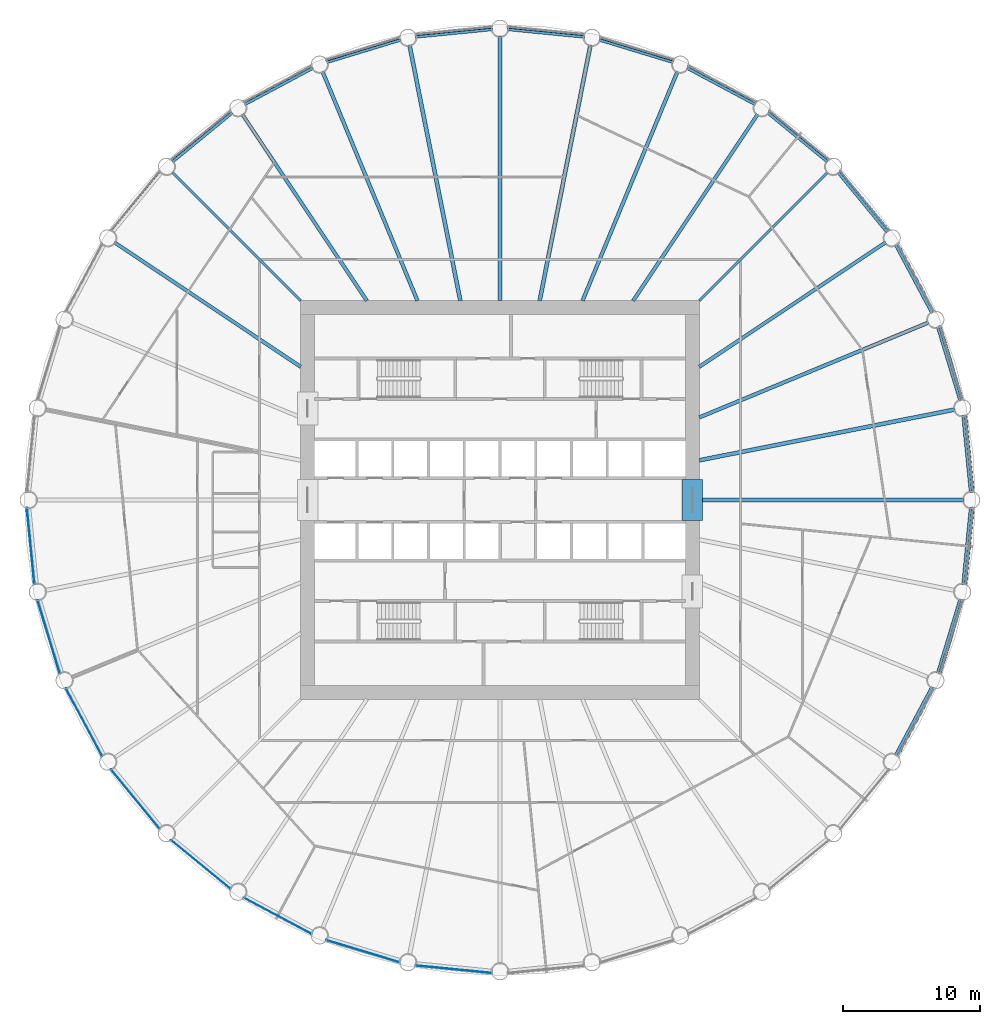
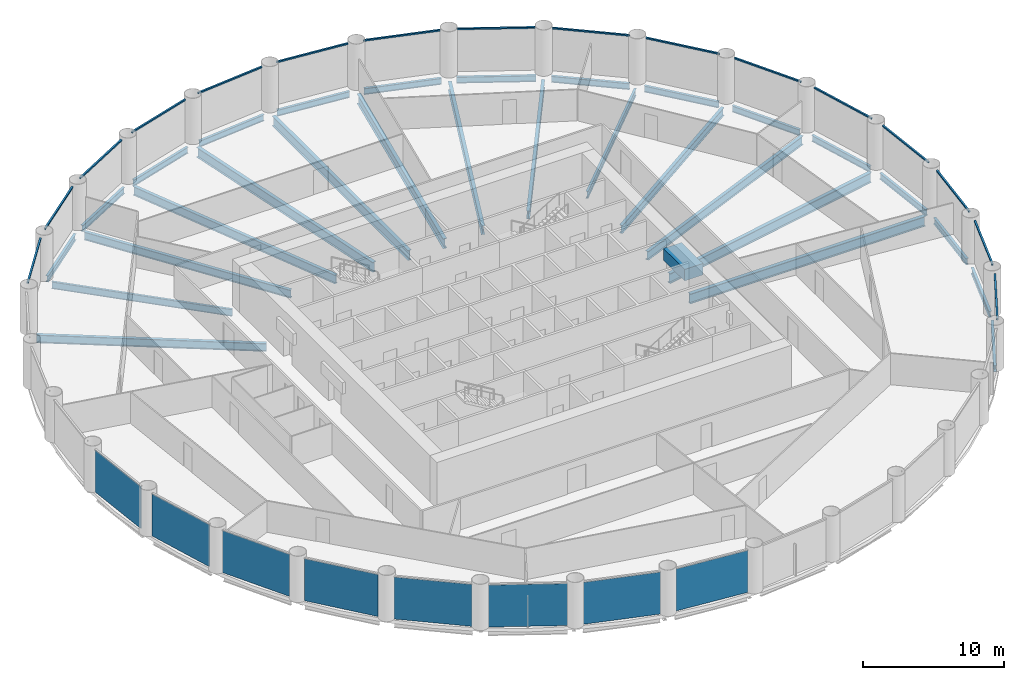
# One storey, part 2 of 9: 30 beams, 16 members, 8 plates, 24 elements without a shape of their own.
"""IFC4 building model written with IfcOpenShell, lengths in metres."""

from ifc_helpers import new_model, si_unit, direction, frame, origin, origin_2d, place, context, subcontext, project, spatial, rectangle, i_section, extrude, material, layer, layer_set, material_profile, profile_set, type_object, element, aggregate, save


model = new_model("IFC4")

# Units and contexts
model_context = context("Model", 3, precision=1e-05, world=origin(), true_north=direction((0.0, 1.0)))
body_context = subcontext(model_context, "Body", "Model", "MODEL_VIEW")
ifc_project = project(units=[si_unit("LENGTHUNIT", "METRE"), si_unit("AREAUNIT", "SQUARE_METRE"), si_unit("VOLUMEUNIT", "CUBIC_METRE"), si_unit("PLANEANGLEUNIT", "RADIAN"), si_unit("MASSUNIT", "GRAM", prefix="KILO")], contexts=[model_context])

# Site, building, storey
site_placement = place(None, origin())
site = spatial("IfcSite", under=ifc_project, at=site_placement, CompositionType="ELEMENT")
building_placement = place(site_placement, origin())
building = spatial("IfcBuilding", under=site, at=building_placement, Name="Corvane Civic Tower", CompositionType="ELEMENT")
storey_placement = place(building_placement, frame((0.0, 0.0, 102.5)))
storey = spatial("IfcBuildingStorey", under=building, at=storey_placement, Name="L23", CompositionType="ELEMENT", Elevation=102.5)

# Beams
ifc_material_1 = material(Name="Concrete C70/85", Category="concrete")
ifc_material_profile_1 = material_profile(ifc_material_1, rectangle(XDim=1.5, YDim=1.0, at=origin_2d()), Name="COUPLING BEAM 1500X1000")
ifc_profile_set_1 = profile_set([ifc_material_profile_1], Name="Concrete C70/85")
beam_type_1 = type_object("IfcBeamType", Name="COUPLING BEAM COUPLING BEAM 1500X1000", PredefinedType="BEAM", material=ifc_profile_set_1)
beam_1_placement = place(storey_placement, frame((14.0, -1.5, 2.60009765625), z_axis=(0.0, 1.0, 0.0), x_axis=(-1.0, 0.0, 0.0)))
element("IfcBeam", 1, at=beam_1_placement, inside=storey, type_object=beam_type_1, Name="BM-L23-cpl-CW-LE", PredefinedType="BEAM", context=body_context, shape_type="SweptSolid", body=[
    extrude(rectangle(XDim=1.5, YDim=1.0, at=origin_2d()), origin(), (0.0, 0.0, 1.0), 3.0),
])
ifc_material_2 = material(Name="Steel ASTM A992 Gr 50", Category="steel")
ifc_material_profile_2 = material_profile(ifc_material_2, i_section(OverallWidth=0.209228515625, OverallDepth=0.533447265625, WebThickness=0.01025390625, FlangeThickness=0.015625, at=origin_2d()), Name="W21X62")
ifc_profile_set_2 = profile_set([ifc_material_profile_2], Name="Steel ASTM A992 Gr 50")
beam_type_2 = type_object("IfcBeamType", Name="EDGE BEAM W21X62", PredefinedType="BEAM", material=ifc_profile_set_2)
beam_2_placement = place(storey_placement, frame((0.54736328125, 34.24609375, -0.566650390625), z_axis=(0.995184368522, -0.098020776625, 0.0), x_axis=(0.098020776625, 0.995184368522, 0.0)))
element("IfcBeam", 2, at=beam_2_placement, inside=storey, type_object=beam_type_2, Name="BM-L23-E01", PredefinedType="BEAM", context=body_context, shape_type="SweptSolid", body=[
    extrude(i_section(OverallWidth=0.209228515625, OverallDepth=0.533447265625, WebThickness=0.01025390625, FlangeThickness=0.015625, at=origin_2d()), origin(), (0.0, 0.0, 1.0), 5.6240234375),
])
beam_3_placement = place(storey_placement, frame((7.218017578125, 33.481201171875, -0.566650390625), z_axis=(0.956936367498, -0.290297758448, 0.0), x_axis=(0.290297758448, 0.956936367498, 0.0)))
element("IfcBeam", 3, at=beam_3_placement, inside=storey, type_object=beam_type_2, Name="BM-L23-E02", PredefinedType="BEAM", context=body_context, shape_type="SweptSolid", body=[
    extrude(i_section(OverallWidth=0.209228515625, OverallDepth=0.533447265625, WebThickness=0.01025390625, FlangeThickness=0.015625, at=origin_2d()), origin(), (0.0, 0.0, 1.0), 5.623779296875),
])
for number, where, z_axis, x_axis, name in (
    (4, (13.611083984375, 31.4296875, -0.566650390625), (0.88192357867, -0.471392407008, 0.0), (0.471392407008, 0.88192357867, 0.0), "BM-L23-E03"),
    (5, (19.481201171875, 28.17041015625, -0.566650390625), (0.773006775372, -0.634397765782, 0.0), (0.634397765782, 0.773006775372, 0.0), "BM-L23-E04"),
    (6, (24.6025390625, 23.82861328125, -0.566650390625), (0.634397765782, -0.773006775372, 0.0), (0.773006775372, 0.634397765782, 0.0), "BM-L23-E05"),
    (7, (28.778564453125, 18.571044921875, -0.566650390625), (0.471392407008, -0.88192357867, 0.0), (0.88192357867, 0.471392407008, 0.0), "BM-L23-E06"),
):
    element("IfcBeam", number, at=place(storey_placement, frame(where, z_axis=z_axis, x_axis=x_axis)), inside=storey, type_object=beam_type_2, Name=name, PredefinedType="BEAM", context=body_context, shape_type="SweptSolid", body=[
        extrude(i_section(OverallWidth=0.209228515625, OverallDepth=0.533447265625, WebThickness=0.01025390625, FlangeThickness=0.015625, at=origin_2d()), origin(), (0.0, 0.0, 1.0), 5.6240234375),
    ])
beam_4_placement = place(storey_placement, frame((31.8486328125, 12.599609375, -0.566650390625), z_axis=(0.290297758448, -0.956936367498, 0.0), x_axis=(0.956936367498, 0.290297758448, 0.0)))
element("IfcBeam", 8, at=beam_4_placement, inside=storey, type_object=beam_type_2, Name="BM-L23-E07", PredefinedType="BEAM", context=body_context, shape_type="SweptSolid", body=[
    extrude(i_section(OverallWidth=0.209228515625, OverallDepth=0.533447265625, WebThickness=0.01025390625, FlangeThickness=0.015625, at=origin_2d()), origin(), (0.0, 0.0, 1.0), 5.623779296875),
])
for number, where, z_axis, x_axis, name in (
    (9, (33.69482421875, 6.144287109375, -0.566650390625), (0.098020776625, -0.995184368522, 0.0), (0.995184368522, 0.098020776625, 0.0), "BM-L23-E08"),
    (10, (34.24609375, -0.54736328125, -0.566650390625), (-0.098020776625, -0.995184368522, 0.0), (0.995184368522, -0.098020776625, 0.0), "BM-L23-E09"),
):
    element("IfcBeam", number, at=place(storey_placement, frame(where, z_axis=z_axis, x_axis=x_axis)), inside=storey, type_object=beam_type_2, Name=name, PredefinedType="BEAM", context=body_context, shape_type="SweptSolid", body=[
        extrude(i_section(OverallWidth=0.209228515625, OverallDepth=0.533447265625, WebThickness=0.01025390625, FlangeThickness=0.015625, at=origin_2d()), origin(), (0.0, 0.0, 1.0), 5.6240234375),
    ])
beam_5_placement = place(storey_placement, frame((33.481201171875, -7.218017578125, -0.566650390625), z_axis=(-0.290297758448, -0.956936367498, 0.0), x_axis=(0.956936367498, -0.290297758448, 0.0)))
element("IfcBeam", 11, at=beam_5_placement, inside=storey, type_object=beam_type_2, Name="BM-L23-E10", PredefinedType="BEAM", context=body_context, shape_type="SweptSolid", body=[
    extrude(i_section(OverallWidth=0.209228515625, OverallDepth=0.533447265625, WebThickness=0.01025390625, FlangeThickness=0.015625, at=origin_2d()), origin(), (0.0, 0.0, 1.0), 5.623779296875),
])
for number, where, z_axis, x_axis, name in (
    (12, (31.4296875, -13.611083984375, -0.566650390625), (-0.471392407008, -0.88192357867, 0.0), (0.88192357867, -0.471392407008, 0.0), "BM-L23-E11"),
    (13, (-23.82861328125, 24.6025390625, -0.566650390625), (0.773006775372, 0.634397765782, 0.0), (-0.634397765782, 0.773006775372, 0.0), "BM-L23-E29"),
    (14, (-18.571044921875, 28.778564453125, -0.566650390625), (0.88192357867, 0.471392407008, 0.0), (-0.471392407008, 0.88192357867, 0.0), "BM-L23-E30"),
):
    element("IfcBeam", number, at=place(storey_placement, frame(where, z_axis=z_axis, x_axis=x_axis)), inside=storey, type_object=beam_type_2, Name=name, PredefinedType="BEAM", context=body_context, shape_type="SweptSolid", body=[
        extrude(i_section(OverallWidth=0.209228515625, OverallDepth=0.533447265625, WebThickness=0.01025390625, FlangeThickness=0.015625, at=origin_2d()), origin(), (0.0, 0.0, 1.0), 5.6240234375),
    ])
beam_6_placement = place(storey_placement, frame((-12.599609375, 31.8486328125, -0.566650390625), z_axis=(0.956936367498, 0.290297758448, 0.0), x_axis=(-0.290297758448, 0.956936367498, 0.0)))
element("IfcBeam", 15, at=beam_6_placement, inside=storey, type_object=beam_type_2, Name="BM-L23-E31", PredefinedType="BEAM", context=body_context, shape_type="SweptSolid", body=[
    extrude(i_section(OverallWidth=0.209228515625, OverallDepth=0.533447265625, WebThickness=0.01025390625, FlangeThickness=0.015625, at=origin_2d()), origin(), (0.0, 0.0, 1.0), 5.623779296875),
])
beam_7_placement = place(storey_placement, frame((-6.144287109375, 33.69482421875, -0.566650390625), z_axis=(0.995184368522, 0.098020776625, 0.0), x_axis=(-0.098020776625, 0.995184368522, 0.0)))
element("IfcBeam", 16, at=beam_7_placement, inside=storey, type_object=beam_type_2, Name="BM-L23-E32", PredefinedType="BEAM", context=body_context, shape_type="SweptSolid", body=[
    extrude(i_section(OverallWidth=0.209228515625, OverallDepth=0.533447265625, WebThickness=0.01025390625, FlangeThickness=0.015625, at=origin_2d()), origin(), (0.0, 0.0, 1.0), 5.6240234375),
])
ifc_material_3 = material(Name="Steel ASTM A992 Gr 50", Category="steel")
ifc_material_profile_3 = material_profile(ifc_material_3, i_section(OverallWidth=0.177978515625, OverallDepth=0.599365234375, WebThickness=0.010009765625, FlangeThickness=0.012939453125, at=origin_2d()), Name="W24X55")
ifc_profile_set_3 = profile_set([ifc_material_profile_3], Name="Steel ASTM A992 Gr 50")
beam_type_3 = type_object("IfcBeamType", Name="FLOOR GIRDER W24X55", PredefinedType="BEAM", material=ifc_profile_set_3)
for number, where, z_axis, x_axis, name in (
    (17, (14.5, 14.5, -0.599609375), (0.707106781187, 0.707106781187, 0.0), (-0.707106781187, 0.707106781187, 0.0), "BM-L23-G05"),
    (18, (-14.5, 14.5, -0.599609375), (-0.707106781187, 0.707106781187, 0.0), (-0.707106781187, -0.707106781187, 0.0), "BM-L23-G29"),
):
    element("IfcBeam", number, at=place(storey_placement, frame(where, z_axis=z_axis, x_axis=x_axis)), inside=storey, type_object=beam_type_3, Name=name, PredefinedType="BEAM", context=body_context, shape_type="SweptSolid", body=[
        extrude(i_section(OverallWidth=0.177978515625, OverallDepth=0.599365234375, WebThickness=0.010009765625, FlangeThickness=0.012939453125, at=origin_2d()), origin(), (0.0, 0.0, 1.0), 13.24365234375),
    ])
ifc_material_4 = material(Name="Steel ASTM A992 Gr 50", Category="steel")
ifc_material_profile_4 = material_profile(ifc_material_4, i_section(OverallWidth=0.256591796875, OverallDepth=0.693359375, WebThickness=0.014404296875, FlangeThickness=0.023681640625, at=origin_2d()), Name="W27X114")
ifc_profile_set_4 = profile_set([ifc_material_profile_4], Name="Steel ASTM A992 Gr 50")
beam_type_4 = type_object("IfcBeamType", Name="FLOOR GIRDER W27X114", PredefinedType="BEAM", material=ifc_profile_set_4)
for number, where, z_axis, x_axis, name in (
    (19, (9.6884765625, 14.5, -0.646728515625), (0.555577235054, 0.83146493365, 0.0), (-0.83146493365, 0.555577235054, 0.0), "BM-L23-G04"),
    (20, (14.5, 9.6884765625, -0.646728515625), (0.83146493365, 0.555577235054, 0.0), (-0.555577235054, 0.83146493365, 0.0), "BM-L23-G06"),
    (21, (-14.5, 9.6884765625, -0.646728515625), (-0.83146493365, 0.555577235054, 0.0), (-0.555577235054, -0.83146493365, 0.0), "BM-L23-G28"),
    (22, (-9.6884765625, 14.5, -0.646728515625), (-0.555577235054, 0.83146493365, 0.0), (-0.83146493365, -0.555577235054, 0.0), "BM-L23-G30"),
):
    element("IfcBeam", number, at=place(storey_placement, frame(where, z_axis=z_axis, x_axis=x_axis)), inside=storey, type_object=beam_type_4, Name=name, PredefinedType="BEAM", context=body_context, shape_type="SweptSolid", body=[
        extrude(i_section(OverallWidth=0.256591796875, OverallDepth=0.693359375, WebThickness=0.014404296875, FlangeThickness=0.023681640625, at=origin_2d()), origin(), (0.0, 0.0, 1.0), 16.31103515625),
    ])
ifc_material_5 = material(Name="Steel ASTM A992 Gr 50", Category="steel")
ifc_material_profile_5 = material_profile(ifc_material_5, i_section(OverallWidth=0.2666015625, OverallDepth=0.7568359375, WebThickness=0.013916015625, FlangeThickness=0.019287109375, at=origin_2d()), Name="W30X108")
ifc_profile_set_5 = profile_set([ifc_material_profile_5], Name="Steel ASTM A992 Gr 50")
beam_type_5 = type_object("IfcBeamType", Name="FLOOR GIRDER W30X108", PredefinedType="BEAM", material=ifc_profile_set_5)
for number, where, z_axis, x_axis, name in (
    (23, (6.006103515625, 14.5, -0.678466796875), (0.382681797504, 0.923880209691, 0.0), (-0.923880209691, 0.382681797504, 0.0), "BM-L23-G03"),
    (24, (14.5, 6.006103515625, -0.678466796875), (0.923880209691, 0.382681797504, 0.0), (-0.382681797504, 0.923880209691, 0.0), "BM-L23-G07"),
    (25, (-6.006103515625, 14.5, -0.678466796875), (-0.382681797504, 0.923880209691, 0.0), (-0.923880209691, -0.382681797504, 0.0), "BM-L23-G31"),
):
    element("IfcBeam", number, at=place(storey_placement, frame(where, z_axis=z_axis, x_axis=x_axis)), inside=storey, type_object=beam_type_5, Name=name, PredefinedType="BEAM", context=body_context, shape_type="SweptSolid", body=[
        extrude(i_section(OverallWidth=0.2666015625, OverallDepth=0.7568359375, WebThickness=0.013916015625, FlangeThickness=0.019287109375, at=origin_2d()), origin(), (0.0, 0.0, 1.0), 18.05517578125),
    ])
ifc_material_6 = material(Name="Steel ASTM A992 Gr 50", Category="steel")
ifc_material_profile_6 = material_profile(ifc_material_6, i_section(OverallWidth=0.2919921875, OverallDepth=0.8583984375, WebThickness=0.01708984375, FlangeThickness=0.031005859375, at=origin_2d()), Name="W33X169")
ifc_profile_set_6 = profile_set([ifc_material_profile_6], Name="Steel ASTM A992 Gr 50")
beam_type_6 = type_object("IfcBeamType", Name="FLOOR GIRDER W33X169", PredefinedType="BEAM", material=ifc_profile_set_6)
beam_8_placement = place(storey_placement, frame((0.0, 14.5, -0.729248046875), z_axis=(0.0, 1.0, 0.0), x_axis=(-1.0, 0.0, 0.0)))
element("IfcBeam", 26, at=beam_8_placement, inside=storey, type_object=beam_type_6, Name="BM-L23-G01", PredefinedType="BEAM", context=body_context, shape_type="SweptSolid", body=[
    extrude(i_section(OverallWidth=0.2919921875, OverallDepth=0.8583984375, WebThickness=0.01708984375, FlangeThickness=0.031005859375, at=origin_2d()), origin(), (0.0, 0.0, 1.0), 19.25),
])
for number, where, z_axis, x_axis, name in (
    (27, (2.88427734375, 14.5, -0.729248046875), (0.195083745652, 0.9807865885, 0.0), (-0.9807865885, 0.195083745652, 0.0), "BM-L23-G02"),
    (28, (14.5, 2.88427734375, -0.729248046875), (0.9807865885, 0.195083745652, 0.0), (-0.195083745652, 0.9807865885, 0.0), "BM-L23-G08"),
):
    element("IfcBeam", number, at=place(storey_placement, frame(where, z_axis=z_axis, x_axis=x_axis)), inside=storey, type_object=beam_type_6, Name=name, PredefinedType="BEAM", context=body_context, shape_type="SweptSolid", body=[
        extrude(i_section(OverallWidth=0.2919921875, OverallDepth=0.8583984375, WebThickness=0.01708984375, FlangeThickness=0.031005859375, at=origin_2d()), origin(), (0.0, 0.0, 1.0), 18.966064453125),
    ])
beam_9_placement = place(storey_placement, frame((14.5, 0.0, -0.729248046875), z_axis=(1.0, 0.0, 0.0), x_axis=(0.0, 1.0, 0.0)))
element("IfcBeam", 29, at=beam_9_placement, inside=storey, type_object=beam_type_6, Name="BM-L23-G09", PredefinedType="BEAM", context=body_context, shape_type="SweptSolid", body=[
    extrude(i_section(OverallWidth=0.2919921875, OverallDepth=0.8583984375, WebThickness=0.01708984375, FlangeThickness=0.031005859375, at=origin_2d()), origin(), (0.0, 0.0, 1.0), 19.25),
])
beam_10_placement = place(storey_placement, frame((-2.88427734375, 14.5, -0.729248046875), z_axis=(-0.195083745652, 0.9807865885, 0.0), x_axis=(-0.9807865885, -0.195083745652, 0.0)))
element("IfcBeam", 30, at=beam_10_placement, inside=storey, type_object=beam_type_6, Name="BM-L23-G32", PredefinedType="BEAM", context=body_context, shape_type="SweptSolid", body=[
    extrude(i_section(OverallWidth=0.2919921875, OverallDepth=0.8583984375, WebThickness=0.01708984375, FlangeThickness=0.031005859375, at=origin_2d()), origin(), (0.0, 0.0, 1.0), 18.966064453125),
])

# Curtain wall, member
ifc_material_7 = material(Name="Anodised aluminium bronze", Category="aluminium")
curtain_wall_type = type_object("IfcCurtainWallType", Name="TOWER CW-T1 STICK CURTAIN WALL", PredefinedType="NOTDEFINED", material=ifc_material_7)
curtain_wall_1_placement = place(storey_placement, origin())
curtain_wall_1 = element("IfcCurtainWall", 31, at=curtain_wall_1_placement, inside=storey, type_object=curtain_wall_type, Name="Curtain wall CW-T1 L23 bay 01", PredefinedType="NOTDEFINED")
ifc_material_8 = material(Name="Anodised aluminium bronze", Category="aluminium")
ifc_material_profile_7 = material_profile(ifc_material_8, rectangle(XDim=0.139892578125, YDim=0.1201171875, at=origin_2d()), Name="TOWER CW-T1 TRANSOM 140x120")
ifc_profile_set_7 = profile_set([ifc_material_profile_7], Name="Anodised aluminium bronze")
member_type = type_object("IfcMemberType", Name="TOWER CW-T1 TRANSOM 140x120", PredefinedType="USERDEFINED", material=ifc_profile_set_7)
member_1_placement = place(storey_placement, frame((0.58349609375, 34.422607421875, 3.68994140625), z_axis=(0.995179807033, -0.098067077419, 0.0), x_axis=(0.098067077419, 0.995179807033, 0.0)))
member_1 = element("IfcMember", 32, at=member_1_placement, type_object=member_type, Name="Transom CW-T1 L23 01.1", ObjectType="TRANSOM", PredefinedType="USERDEFINED", context=body_context, shape_type="SweptSolid", body=[
    extrude(rectangle(XDim=0.139892578125, YDim=0.1201171875, at=origin_2d()), origin(), (0.0, 0.0, 1.0), 5.58642578125),
])
aggregate(curtain_wall_1, [member_1])

curtain_wall_2_placement = place(storey_placement, origin())
curtain_wall_2 = element("IfcCurtainWall", 33, at=curtain_wall_2_placement, inside=storey, type_object=curtain_wall_type, Name="Curtain wall CW-T1 L23 bay 02", PredefinedType="NOTDEFINED")
member_2_placement = place(storey_placement, frame((7.287841796875, 33.647216796875, 3.68994140625), z_axis=(0.956944977029, -0.290269376509, 0.0), x_axis=(0.290269376509, 0.956944977029, 0.0)))
member_2 = element("IfcMember", 34, at=member_2_placement, type_object=member_type, Name="Transom CW-T1 L23 02.1", ObjectType="TRANSOM", PredefinedType="USERDEFINED", context=body_context, shape_type="SweptSolid", body=[
    extrude(rectangle(XDim=0.139892578125, YDim=0.1201171875, at=origin_2d()), origin(), (0.0, 0.0, 1.0), 5.58642578125),
])
aggregate(curtain_wall_2, [member_2])

curtain_wall_3_placement = place(storey_placement, origin())
curtain_wall_3 = element("IfcCurtainWall", 35, at=curtain_wall_3_placement, inside=storey, type_object=curtain_wall_type, Name="Curtain wall CW-T1 L23 bay 03", PredefinedType="NOTDEFINED")
member_3_placement = place(storey_placement, frame((13.712158203125, 31.5791015625, 3.68994140625), z_axis=(0.881920705407, -0.47139778253, 0.0), x_axis=(0.47139778253, 0.881920705407, 0.0)))
member_3 = element("IfcMember", 36, at=member_3_placement, type_object=member_type, Name="Transom CW-T1 L23 03.1", ObjectType="TRANSOM", PredefinedType="USERDEFINED", context=body_context, shape_type="SweptSolid", body=[
    extrude(rectangle(XDim=0.139892578125, YDim=0.1201171875, at=origin_2d()), origin(), (0.0, 0.0, 1.0), 5.586669921875),
])
aggregate(curtain_wall_3, [member_3])

curtain_wall_4_placement = place(storey_placement, origin())
curtain_wall_4 = element("IfcCurtainWall", 37, at=curtain_wall_4_placement, inside=storey, type_object=curtain_wall_type, Name="Curtain wall CW-T1 L23 bay 04", PredefinedType="NOTDEFINED")
member_4_placement = place(storey_placement, frame((19.609619140625, 28.297119140625, 3.68994140625), z_axis=(0.772996431642, -0.634410369295, 0.0), x_axis=(0.634410369295, 0.772996431642, 0.0)))
member_4 = element("IfcMember", 38, at=member_4_placement, type_object=member_type, Name="Transom CW-T1 L23 04.1", ObjectType="TRANSOM", PredefinedType="USERDEFINED", context=body_context, shape_type="SweptSolid", body=[
    extrude(rectangle(XDim=0.139892578125, YDim=0.1201171875, at=origin_2d()), origin(), (0.0, 0.0, 1.0), 5.586181640625),
])
aggregate(curtain_wall_4, [member_4])

curtain_wall_5_placement = place(storey_placement, origin())
curtain_wall_5 = element("IfcCurtainWall", 39, at=curtain_wall_5_placement, inside=storey, type_object=curtain_wall_type, Name="Curtain wall CW-T1 L23 bay 05", PredefinedType="NOTDEFINED")
member_5_placement = place(storey_placement, frame((24.753173828125, 23.927734375, 3.68994140625), z_axis=(0.634410369295, -0.772996431642, 0.0), x_axis=(0.772996431642, 0.634410369295, 0.0)))
member_5 = element("IfcMember", 40, at=member_5_placement, type_object=member_type, Name="Transom CW-T1 L23 05.1", ObjectType="TRANSOM", PredefinedType="USERDEFINED", context=body_context, shape_type="SweptSolid", body=[
    extrude(rectangle(XDim=0.139892578125, YDim=0.1201171875, at=origin_2d()), origin(), (0.0, 0.0, 1.0), 5.586181640625),
])
aggregate(curtain_wall_5, [member_5])

curtain_wall_6_placement = place(storey_placement, origin())
curtain_wall_6 = element("IfcCurtainWall", 41, at=curtain_wall_6_placement, inside=storey, type_object=curtain_wall_type, Name="Curtain wall CW-T1 L23 bay 06", PredefinedType="NOTDEFINED")
member_6_placement = place(storey_placement, frame((28.945556640625, 18.63916015625, 3.68994140625), z_axis=(0.47139778253, -0.881920705407, 0.0), x_axis=(0.881920705407, 0.47139778253, 0.0)))
member_6 = element("IfcMember", 42, at=member_6_placement, type_object=member_type, Name="Transom CW-T1 L23 06.1", ObjectType="TRANSOM", PredefinedType="USERDEFINED", context=body_context, shape_type="SweptSolid", body=[
    extrude(rectangle(XDim=0.139892578125, YDim=0.1201171875, at=origin_2d()), origin(), (0.0, 0.0, 1.0), 5.586669921875),
])
aggregate(curtain_wall_6, [member_6])

curtain_wall_7_placement = place(storey_placement, origin())
curtain_wall_7 = element("IfcCurtainWall", 43, at=curtain_wall_7_placement, inside=storey, type_object=curtain_wall_type, Name="Curtain wall CW-T1 L23 bay 07", PredefinedType="NOTDEFINED")
member_7_placement = place(storey_placement, frame((32.025634765625, 12.6337890625, 3.68994140625), z_axis=(0.290269376509, -0.956944977029, 0.0), x_axis=(0.956944977029, 0.290269376509, 0.0)))
member_7 = element("IfcMember", 44, at=member_7_placement, type_object=member_type, Name="Transom CW-T1 L23 07.1", ObjectType="TRANSOM", PredefinedType="USERDEFINED", context=body_context, shape_type="SweptSolid", body=[
    extrude(rectangle(XDim=0.139892578125, YDim=0.1201171875, at=origin_2d()), origin(), (0.0, 0.0, 1.0), 5.58642578125),
])
aggregate(curtain_wall_7, [member_7])

curtain_wall_8_placement = place(storey_placement, origin())
curtain_wall_8 = element("IfcCurtainWall", 45, at=curtain_wall_8_placement, inside=storey, type_object=curtain_wall_type, Name="Curtain wall CW-T1 L23 bay 08", PredefinedType="NOTDEFINED")
member_8_placement = place(storey_placement, frame((33.874755859375, 6.14306640625, 3.68994140625), z_axis=(0.098067077419, -0.995179807033, 0.0), x_axis=(0.995179807033, 0.098067077419, 0.0)))
member_8 = element("IfcMember", 46, at=member_8_placement, type_object=member_type, Name="Transom CW-T1 L23 08.1", ObjectType="TRANSOM", PredefinedType="USERDEFINED", context=body_context, shape_type="SweptSolid", body=[
    extrude(rectangle(XDim=0.139892578125, YDim=0.1201171875, at=origin_2d()), origin(), (0.0, 0.0, 1.0), 5.58642578125),
])
aggregate(curtain_wall_8, [member_8])

curtain_wall_9_placement = place(storey_placement, origin())
curtain_wall_9 = element("IfcCurtainWall", 47, at=curtain_wall_9_placement, inside=storey, type_object=curtain_wall_type, Name="Curtain wall CW-T1 L23 bay 09", PredefinedType="NOTDEFINED")
member_9_placement = place(storey_placement, frame((34.422607421875, -0.58349609375, 3.68994140625), z_axis=(-0.098067077419, -0.995179807033, 0.0), x_axis=(0.995179807033, -0.098067077419, 0.0)))
member_9 = element("IfcMember", 48, at=member_9_placement, type_object=member_type, Name="Transom CW-T1 L23 09.1", ObjectType="TRANSOM", PredefinedType="USERDEFINED", context=body_context, shape_type="SweptSolid", body=[
    extrude(rectangle(XDim=0.139892578125, YDim=0.1201171875, at=origin_2d()), origin(), (0.0, 0.0, 1.0), 5.58642578125),
])
aggregate(curtain_wall_9, [member_9])

curtain_wall_10_placement = place(storey_placement, origin())
curtain_wall_10 = element("IfcCurtainWall", 49, at=curtain_wall_10_placement, inside=storey, type_object=curtain_wall_type, Name="Curtain wall CW-T1 L23 bay 10", PredefinedType="NOTDEFINED")
member_10_placement = place(storey_placement, frame((33.647216796875, -7.287841796875, 3.68994140625), z_axis=(-0.290269376509, -0.956944977029, 0.0), x_axis=(0.956944977029, -0.290269376509, 0.0)))
member_10 = element("IfcMember", 50, at=member_10_placement, type_object=member_type, Name="Transom CW-T1 L23 10.1", ObjectType="TRANSOM", PredefinedType="USERDEFINED", context=body_context, shape_type="SweptSolid", body=[
    extrude(rectangle(XDim=0.139892578125, YDim=0.1201171875, at=origin_2d()), origin(), (0.0, 0.0, 1.0), 5.58642578125),
])
aggregate(curtain_wall_10, [member_10])

curtain_wall_11_placement = place(storey_placement, origin())
curtain_wall_11 = element("IfcCurtainWall", 51, at=curtain_wall_11_placement, inside=storey, type_object=curtain_wall_type, Name="Curtain wall CW-T1 L23 bay 11", PredefinedType="NOTDEFINED")
member_11_placement = place(storey_placement, frame((31.5791015625, -13.712158203125, 3.68994140625), z_axis=(-0.47139778253, -0.881920705407, 0.0), x_axis=(0.881920705407, -0.47139778253, 0.0)))
member_11 = element("IfcMember", 52, at=member_11_placement, type_object=member_type, Name="Transom CW-T1 L23 11.1", ObjectType="TRANSOM", PredefinedType="USERDEFINED", context=body_context, shape_type="SweptSolid", body=[
    extrude(rectangle(XDim=0.139892578125, YDim=0.1201171875, at=origin_2d()), origin(), (0.0, 0.0, 1.0), 5.586669921875),
])
aggregate(curtain_wall_11, [member_11])

curtain_wall_12_placement = place(storey_placement, origin())
curtain_wall_12 = element("IfcCurtainWall", 53, at=curtain_wall_12_placement, inside=storey, type_object=curtain_wall_type, Name="Curtain wall CW-T1 L23 bay 28", PredefinedType="NOTDEFINED")
member_12_placement = place(storey_placement, frame((-28.297119140625, 19.609619140625, 3.68994140625), z_axis=(0.634410369295, 0.772996431642, 0.0), x_axis=(-0.772996431642, 0.634410369295, 0.0)))
member_12 = element("IfcMember", 54, at=member_12_placement, type_object=member_type, Name="Transom CW-T1 L23 28.1", ObjectType="TRANSOM", PredefinedType="USERDEFINED", context=body_context, shape_type="SweptSolid", body=[
    extrude(rectangle(XDim=0.139892578125, YDim=0.1201171875, at=origin_2d()), origin(), (0.0, 0.0, 1.0), 5.586181640625),
])
aggregate(curtain_wall_12, [member_12])

curtain_wall_13_placement = place(storey_placement, origin())
curtain_wall_13 = element("IfcCurtainWall", 55, at=curtain_wall_13_placement, inside=storey, type_object=curtain_wall_type, Name="Curtain wall CW-T1 L23 bay 29", PredefinedType="NOTDEFINED")
member_13_placement = place(storey_placement, frame((-23.927734375, 24.753173828125, 3.68994140625), z_axis=(0.772996431642, 0.634410369295, 0.0), x_axis=(-0.634410369295, 0.772996431642, 0.0)))
member_13 = element("IfcMember", 56, at=member_13_placement, type_object=member_type, Name="Transom CW-T1 L23 29.1", ObjectType="TRANSOM", PredefinedType="USERDEFINED", context=body_context, shape_type="SweptSolid", body=[
    extrude(rectangle(XDim=0.139892578125, YDim=0.1201171875, at=origin_2d()), origin(), (0.0, 0.0, 1.0), 5.586181640625),
])
aggregate(curtain_wall_13, [member_13])

curtain_wall_14_placement = place(storey_placement, origin())
curtain_wall_14 = element("IfcCurtainWall", 57, at=curtain_wall_14_placement, inside=storey, type_object=curtain_wall_type, Name="Curtain wall CW-T1 L23 bay 30", PredefinedType="NOTDEFINED")
member_14_placement = place(storey_placement, frame((-18.63916015625, 28.945556640625, 3.68994140625), z_axis=(0.881920705407, 0.47139778253, 0.0), x_axis=(-0.47139778253, 0.881920705407, 0.0)))
member_14 = element("IfcMember", 58, at=member_14_placement, type_object=member_type, Name="Transom CW-T1 L23 30.1", ObjectType="TRANSOM", PredefinedType="USERDEFINED", context=body_context, shape_type="SweptSolid", body=[
    extrude(rectangle(XDim=0.139892578125, YDim=0.1201171875, at=origin_2d()), origin(), (0.0, 0.0, 1.0), 5.586669921875),
])
aggregate(curtain_wall_14, [member_14])

curtain_wall_15_placement = place(storey_placement, origin())
curtain_wall_15 = element("IfcCurtainWall", 59, at=curtain_wall_15_placement, inside=storey, type_object=curtain_wall_type, Name="Curtain wall CW-T1 L23 bay 31", PredefinedType="NOTDEFINED")
member_15_placement = place(storey_placement, frame((-12.6337890625, 32.025634765625, 3.68994140625), z_axis=(0.956944977029, 0.290269376509, 0.0), x_axis=(-0.290269376509, 0.956944977029, 0.0)))
member_15 = element("IfcMember", 60, at=member_15_placement, type_object=member_type, Name="Transom CW-T1 L23 31.1", ObjectType="TRANSOM", PredefinedType="USERDEFINED", context=body_context, shape_type="SweptSolid", body=[
    extrude(rectangle(XDim=0.139892578125, YDim=0.1201171875, at=origin_2d()), origin(), (0.0, 0.0, 1.0), 5.58642578125),
])
aggregate(curtain_wall_15, [member_15])

curtain_wall_16_placement = place(storey_placement, origin())
curtain_wall_16 = element("IfcCurtainWall", 61, at=curtain_wall_16_placement, inside=storey, type_object=curtain_wall_type, Name="Curtain wall CW-T1 L23 bay 32", PredefinedType="NOTDEFINED")
member_16_placement = place(storey_placement, frame((-6.14306640625, 33.874755859375, 3.68994140625), z_axis=(0.995179807033, 0.098067077419, 0.0), x_axis=(-0.098067077419, 0.995179807033, 0.0)))
member_16 = element("IfcMember", 62, at=member_16_placement, type_object=member_type, Name="Transom CW-T1 L23 32.1", ObjectType="TRANSOM", PredefinedType="USERDEFINED", context=body_context, shape_type="SweptSolid", body=[
    extrude(rectangle(XDim=0.139892578125, YDim=0.1201171875, at=origin_2d()), origin(), (0.0, 0.0, 1.0), 5.58642578125),
])
aggregate(curtain_wall_16, [member_16])

# Curtain wall, plate
curtain_wall_17_placement = place(storey_placement, origin())
curtain_wall_17 = element("IfcCurtainWall", 63, at=curtain_wall_17_placement, inside=storey, type_object=curtain_wall_type, Name="Curtain wall CW-T1 L23 bay 17", PredefinedType="NOTDEFINED")
ifc_material_9 = material(Name="Tinted glass", Category="glass")
ifc_layer = layer(ifc_material_9, 0.035888671875)
ifc_layer_set = layer_set([ifc_layer], Name="Tinted glass")
plate_type = type_object("IfcPlateType", Name="TOWER CW-T1 PANEL IGU36", PredefinedType="CURTAIN_PANEL", material=ifc_layer_set)
plate_1_placement = place(storey_placement, frame((-3.36328125, -34.148681640625, 0.0), z_axis=(0.0, 0.0, 1.0), x_axis=(-0.995183788169, 0.098026668644, 0.0)))
plate_1 = element("IfcPlate", 64, at=plate_1_placement, type_object=plate_type, Name="Glass panel CW-T1 L23 17.1", PredefinedType="CURTAIN_PANEL", context=body_context, shape_type="SweptSolid", body=[
    extrude(rectangle(XDim=5.58642578125, YDim=0.035888671875, at=origin_2d()), origin(), (0.0, 0.0, 1.0), 3.6298828125),
])
aggregate(curtain_wall_17, [plate_1])

curtain_wall_18_placement = place(storey_placement, origin())
curtain_wall_18 = element("IfcCurtainWall", 65, at=curtain_wall_18_placement, inside=storey, type_object=curtain_wall_type, Name="Curtain wall CW-T1 L23 bay 18", PredefinedType="NOTDEFINED")
plate_2_placement = place(storey_placement, frame((-9.9609375, -32.83642578125, 0.0), z_axis=(0.0, 0.0, 1.0), x_axis=(-0.956945991488, 0.290266032073, 0.0)))
plate_2 = element("IfcPlate", 66, at=plate_2_placement, type_object=plate_type, Name="Glass panel CW-T1 L23 18.1", PredefinedType="CURTAIN_PANEL", context=body_context, shape_type="SweptSolid", body=[
    extrude(rectangle(XDim=5.58642578125, YDim=0.035888671875, at=origin_2d()), origin(), (0.0, 0.0, 1.0), 3.6298828125),
])
aggregate(curtain_wall_18, [plate_2])

curtain_wall_19_placement = place(storey_placement, origin())
curtain_wall_19 = element("IfcCurtainWall", 67, at=curtain_wall_19_placement, inside=storey, type_object=curtain_wall_type, Name="Curtain wall CW-T1 L23 bay 19", PredefinedType="NOTDEFINED")
plate_3_placement = place(storey_placement, frame((-16.175537109375, -30.26220703125, 0.0), z_axis=(0.0, 0.0, 1.0), x_axis=(-0.881923642976, 0.471392286699, 0.0)))
plate_3 = element("IfcPlate", 68, at=plate_3_placement, type_object=plate_type, Name="Glass panel CW-T1 L23 19.1", PredefinedType="CURTAIN_PANEL", context=body_context, shape_type="SweptSolid", body=[
    extrude(rectangle(XDim=5.586669921875, YDim=0.035888671875, at=origin_2d()), origin(), (0.0, 0.0, 1.0), 3.6298828125),
])
aggregate(curtain_wall_19, [plate_3])

curtain_wall_20_placement = place(storey_placement, origin())
curtain_wall_20 = element("IfcCurtainWall", 69, at=curtain_wall_20_placement, inside=storey, type_object=curtain_wall_type, Name="Curtain wall CW-T1 L23 bay 20", PredefinedType="NOTDEFINED")
plate_4_placement = place(storey_placement, frame((-21.7685546875, -26.525146484375, 0.0), z_axis=(0.0, 0.0, 1.0), x_axis=(-0.773013419843, 0.63438966948, 0.0)))
plate_4 = element("IfcPlate", 70, at=plate_4_placement, type_object=plate_type, Name="Glass panel CW-T1 L23 20.1", PredefinedType="CURTAIN_PANEL", context=body_context, shape_type="SweptSolid", body=[
    extrude(rectangle(XDim=5.58642578125, YDim=0.035888671875, at=origin_2d()), origin(), (0.0, 0.0, 1.0), 3.6298828125),
])
aggregate(curtain_wall_20, [plate_4])

curtain_wall_21_placement = place(storey_placement, origin())
curtain_wall_21 = element("IfcCurtainWall", 71, at=curtain_wall_21_placement, inside=storey, type_object=curtain_wall_type, Name="Curtain wall CW-T1 L23 bay 21", PredefinedType="NOTDEFINED")
plate_5_placement = place(storey_placement, frame((-26.525146484375, -21.7685546875, 0.0), z_axis=(0.0, 0.0, 1.0), x_axis=(-0.63438966948, 0.773013419843, 0.0)))
plate_5 = element("IfcPlate", 72, at=plate_5_placement, type_object=plate_type, Name="Glass panel CW-T1 L23 21.1", PredefinedType="CURTAIN_PANEL", context=body_context, shape_type="SweptSolid", body=[
    extrude(rectangle(XDim=5.58642578125, YDim=0.035888671875, at=origin_2d()), origin(), (0.0, 0.0, 1.0), 3.6298828125),
])
aggregate(curtain_wall_21, [plate_5])

curtain_wall_22_placement = place(storey_placement, origin())
curtain_wall_22 = element("IfcCurtainWall", 73, at=curtain_wall_22_placement, inside=storey, type_object=curtain_wall_type, Name="Curtain wall CW-T1 L23 bay 22", PredefinedType="NOTDEFINED")
plate_6_placement = place(storey_placement, frame((-30.26220703125, -16.175537109375, 0.0), z_axis=(0.0, 0.0, 1.0), x_axis=(-0.471392286699, 0.881923642976, 0.0)))
plate_6 = element("IfcPlate", 74, at=plate_6_placement, type_object=plate_type, Name="Glass panel CW-T1 L23 22.1", PredefinedType="CURTAIN_PANEL", context=body_context, shape_type="SweptSolid", body=[
    extrude(rectangle(XDim=5.586669921875, YDim=0.035888671875, at=origin_2d()), origin(), (0.0, 0.0, 1.0), 3.6298828125),
])
aggregate(curtain_wall_22, [plate_6])

curtain_wall_23_placement = place(storey_placement, origin())
curtain_wall_23 = element("IfcCurtainWall", 75, at=curtain_wall_23_placement, inside=storey, type_object=curtain_wall_type, Name="Curtain wall CW-T1 L23 bay 23", PredefinedType="NOTDEFINED")
plate_7_placement = place(storey_placement, frame((-32.83642578125, -9.9609375, 0.0), z_axis=(0.0, 0.0, 1.0), x_axis=(-0.290266032073, 0.956945991488, 0.0)))
plate_7 = element("IfcPlate", 76, at=plate_7_placement, type_object=plate_type, Name="Glass panel CW-T1 L23 23.1", PredefinedType="CURTAIN_PANEL", context=body_context, shape_type="SweptSolid", body=[
    extrude(rectangle(XDim=5.58642578125, YDim=0.035888671875, at=origin_2d()), origin(), (0.0, 0.0, 1.0), 3.6298828125),
])
aggregate(curtain_wall_23, [plate_7])

curtain_wall_24_placement = place(storey_placement, origin())
curtain_wall_24 = element("IfcCurtainWall", 77, at=curtain_wall_24_placement, inside=storey, type_object=curtain_wall_type, Name="Curtain wall CW-T1 L23 bay 24", PredefinedType="NOTDEFINED")
plate_8_placement = place(storey_placement, frame((-34.148681640625, -3.36328125, 0.0), z_axis=(0.0, 0.0, 1.0), x_axis=(-0.098026668644, 0.995183788169, 0.0)))
plate_8 = element("IfcPlate", 78, at=plate_8_placement, type_object=plate_type, Name="Glass panel CW-T1 L23 24.1", PredefinedType="CURTAIN_PANEL", context=body_context, shape_type="SweptSolid", body=[
    extrude(rectangle(XDim=5.58642578125, YDim=0.035888671875, at=origin_2d()), origin(), (0.0, 0.0, 1.0), 3.6298828125),
])
aggregate(curtain_wall_24, [plate_8])

save(model, "model.ifc")
